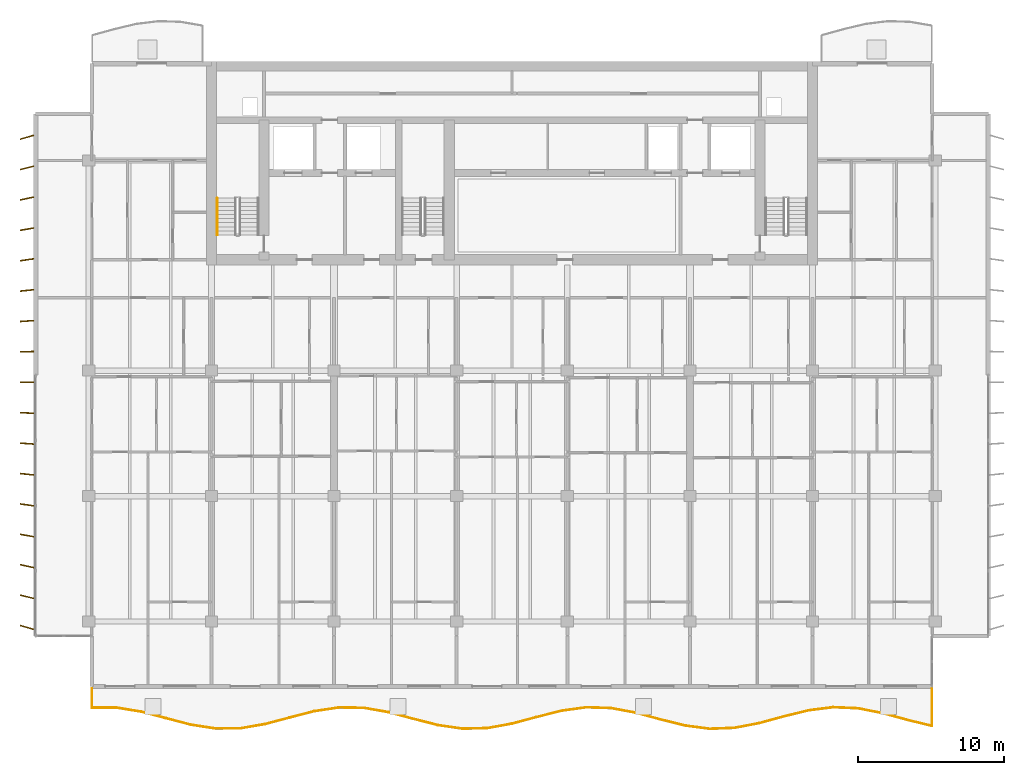
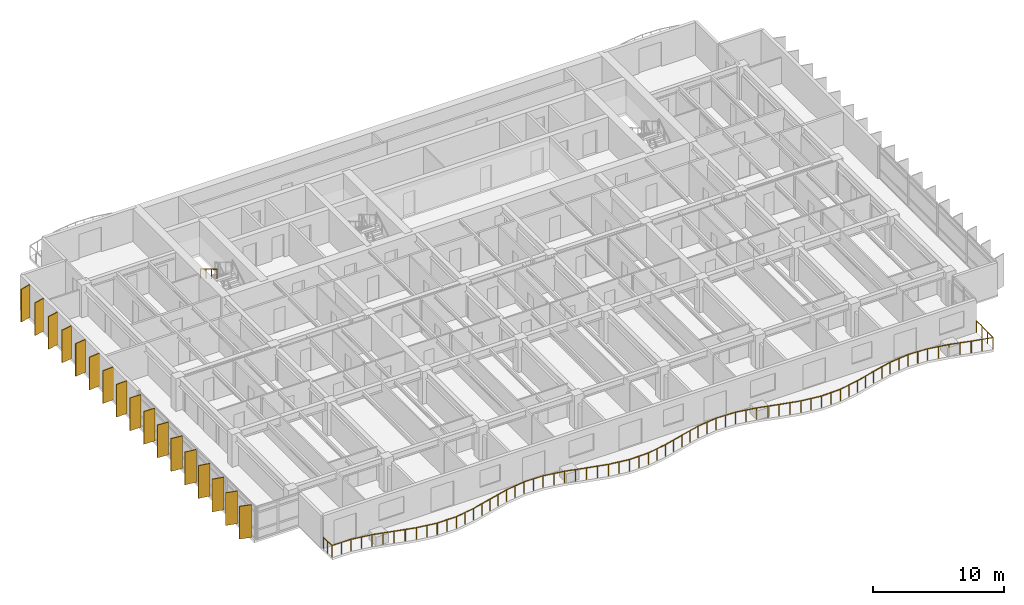
# One storey, part 16 of 19: 17 shading devices, 2 railings.
"""IFC4 building model written with IfcOpenShell, lengths in metres."""

import ifcopenshell
import ifcopenshell.guid

model = None  # the IFC model being written
_history = None  # IfcOwnerHistory: only IFC2X3 demands one
_inside = {}  # id of a spatial element -> (the spatial element, [elements in it])
_under = {}  # id of a project, library or spatial element -> (it, [spatial elements below it])
_declared = {}  # id of a project -> (the project, [libraries it declares])
_typed = {}  # id of a type object -> (the type object, [elements of that type])
_made_of = {}  # id of a material, layer set ... -> (it, [elements and type objects made of it])


def new_model(schema):
    """Start an empty IFC model of exactly this schema.

    Asked for "IFC4X3", IfcOpenShell would pick the latest addendum, in which some entities
    have other attributes; the version numbers below select the first issue.
    IFC2X3 requires an IfcOwnerHistory on every rooted entity: one is made here for all.
    """
    global model, _history
    if schema == "IFC4X3":
        model = ifcopenshell.file(schema_version=(4, 3, 0, 0))
    else:
        model = ifcopenshell.file(schema=schema)
    _inside.clear()
    _under.clear()
    _declared.clear()
    _typed.clear()
    _made_of.clear()
    _history = None
    if model.schema == "IFC2X3":
        org = make("IfcOrganization", Name="unknown")
        user = make(
            "IfcPersonAndOrganization",
            ThePerson=make("IfcPerson", FamilyName="unknown"),
            TheOrganization=org,
        )
        app = make(
            "IfcApplication",
            ApplicationDeveloper=org,
            Version="unknown",
            ApplicationFullName="unknown",
            ApplicationIdentifier="unknown",
        )
        _history = make(
            "IfcOwnerHistory",
            OwningUser=user,
            OwningApplication=app,
            ChangeAction="ADDED",
            CreationDate=0,
        )
    return model


def make(cls, **values):
    """One entity of the class cls with the attributes given. An attribute that is None is left unset."""
    return model.create_entity(
        cls, **{name: value for name, value in values.items() if value is not None}
    )


def rooted(cls, **values):
    """An entity with a GlobalId (a new one), such as an element, a storey or a relation."""
    return make(cls, GlobalId=ifcopenshell.guid.new(), OwnerHistory=_history, **values)


def si_unit(unit_type, name, prefix=None):
    """IfcSIUnit, for example si_unit("LENGTHUNIT", "METRE", prefix="MILLI")."""
    return make("IfcSIUnit", UnitType=unit_type, Prefix=prefix, Name=name)


def assignment(units):
    """IfcUnitAssignment: the units of a project."""
    return None if units is None else make("IfcUnitAssignment", Units=units)


def point(xyz):
    """IfcCartesianPoint."""
    return None if xyz is None else make("IfcCartesianPoint", Coordinates=xyz)


def direction(xyz):
    """IfcDirection."""
    return None if xyz is None else make("IfcDirection", DirectionRatios=xyz)


def frame(location, z_axis=None, x_axis=None):
    """IfcAxis2Placement3D, a coordinate frame: its origin and axes. An axis left out is left unset."""
    return make(
        "IfcAxis2Placement3D",
        Location=point(location),
        Axis=direction(z_axis),
        RefDirection=direction(x_axis),
    )


def frame_2d(location, x_axis=None):
    """IfcAxis2Placement2D, a coordinate frame in the plane: its origin and x axis."""
    return make(
        "IfcAxis2Placement2D", Location=point(location), RefDirection=direction(x_axis)
    )


def origin():
    """The frame at (0, 0, 0) with its axes left unset."""
    return frame((0.0, 0.0, 0.0))


def origin_2d():
    """The frame at (0, 0) in the plane with its x axis left unset."""
    return frame_2d((0.0, 0.0))


def place(relative_to, where):
    """IfcLocalPlacement: puts the frame where relative to a parent placement (None: the world)."""
    return make(
        "IfcLocalPlacement", PlacementRelTo=relative_to, RelativePlacement=where
    )


def context(
    kind, dimensions, precision=None, world=None, true_north=None, identifier=None
):
    """IfcGeometricRepresentationContext, for example the 3D "Model" context."""
    return make(
        "IfcGeometricRepresentationContext",
        ContextIdentifier=identifier,
        ContextType=kind,
        CoordinateSpaceDimension=dimensions,
        Precision=precision,
        WorldCoordinateSystem=world,
        TrueNorth=true_north,
    )


def subcontext(parent, identifier, kind, view, scale=None):
    """IfcGeometricRepresentationSubContext, for example "Body" below "Model"."""
    return make(
        "IfcGeometricRepresentationSubContext",
        ContextIdentifier=identifier,
        ContextType=kind,
        ParentContext=parent,
        TargetScale=scale,
        TargetView=view,
    )


def project(units=None, contexts=None):
    """IfcProject with its units and contexts."""
    return rooted(
        "IfcProject",
        Name="project",
        RepresentationContexts=contexts,
        UnitsInContext=assignment(units),
    )


def spatial(cls, under=None, at=None, **own):
    """A site, building, storey or space (cls), placed at a placement, below another one or the project."""
    s = rooted(cls, ObjectPlacement=at, **own)
    if under is not None:
        _under.setdefault(under.id(), (under, []))[1].append(s)
    return s


def profile(cls, at=None, kind="AREA", **sizes):
    """A parametric profile (cls). Its sizes go by their IFC names, for example OverallWidth=200.0."""
    return make(cls, ProfileType=kind, Position=at, **sizes)


def rectangle(**sizes):
    """IfcRectangleProfileDef."""
    return profile("IfcRectangleProfileDef", **sizes)


def circle(**sizes):
    """IfcCircleProfileDef."""
    return profile("IfcCircleProfileDef", **sizes)


def extrude(swept, where, along, depth):
    """IfcExtrudedAreaSolid: the profile swept, set in the frame where, extruded along a direction by depth."""
    return make(
        "IfcExtrudedAreaSolid",
        SweptArea=swept,
        Position=where,
        ExtrudedDirection=direction(along),
        Depth=depth,
    )


def shape(context_of_items, identifier, shape_type, items):
    """IfcShapeRepresentation: the items that make up one representation, for example the "Body"."""
    return make(
        "IfcShapeRepresentation",
        ContextOfItems=context_of_items,
        RepresentationIdentifier=identifier,
        RepresentationType=shape_type,
        Items=items,
    )


def material(Name=None, Category=None):
    """IfcMaterial."""
    return make("IfcMaterial", Name=Name, Category=Category)


def material_profile(
    of_material, cross_section, Name=None, Category=None, Priority=None
):
    """IfcMaterialProfile: a cross section and its material."""
    return make(
        "IfcMaterialProfile",
        Name=Name,
        Material=of_material,
        Profile=cross_section,
        Priority=Priority,
        Category=Category,
    )


def profile_set(profiles, Name=None, composite=None):
    """IfcMaterialProfileSet."""
    return make(
        "IfcMaterialProfileSet",
        Name=Name,
        MaterialProfiles=profiles,
        CompositeProfile=composite,
    )


def made_of(thing, what):
    """Note that an element or type object is made of a material, layer set ...; save() writes the relation."""
    if what is not None:
        _made_of.setdefault(what.id(), (what, []))[1].append(thing)
    return thing


def type_object(cls, material=None, **own):
    """A type object (cls), such as IfcWallType, which elements share."""
    return made_of(rooted(cls, **own), material)


def element(
    cls,
    number,
    at=None,
    inside=None,
    cuts=None,
    type_object=None,
    material=None,
    context=None,
    identifier="Body",
    shape_type=None,
    held_by="IfcProductDefinitionShape",
    body=None,
    shapes=None,
    **own,
):
    """One element of the class cls, such as IfcWall. Its Tag is "e" and its number.

    at: its placement. inside: the storey or other place that contains it. cuts: it is an
    opening in that element (IfcRelVoidsElement). A single representation is given by context,
    identifier, shape_type and body (its items); several are given by shapes. held_by: the class
    of the entity that holds the representations. save() writes the other relations.
    """
    e = rooted(cls, Tag="e%d" % number, ObjectPlacement=at, **own)
    if body is not None:
        shapes = [shape(context, identifier, shape_type, body)]
    if shapes is not None:
        e.Representation = make(held_by, Representations=shapes)
    if inside is not None:
        _inside.setdefault(inside.id(), (inside, []))[1].append(e)
    if cuts is not None:
        rooted(
            "IfcRelVoidsElement", RelatingBuildingElement=cuts, RelatedOpeningElement=e
        )
    if type_object is not None:
        _typed.setdefault(type_object.id(), (type_object, []))[1].append(e)
    return made_of(e, material)


def aggregate(whole, parts):
    """IfcRelAggregates: a whole, such as a stair, and the parts it consists of."""
    return rooted("IfcRelAggregates", RelatingObject=whole, RelatedObjects=parts)


def save(model, path):
    """Write the relations noted so far, then the file.

    IfcRelAggregates (storeys below a building ...), IfcRelContainedInSpatialStructure (elements
    in a storey), IfcRelDefinesByType, IfcRelAssociatesMaterial and IfcRelDeclares: one each for
    every whole, place, type object, material and project.
    """
    for whole, parts in _under.values():
        aggregate(whole, parts)
    for where, things in _inside.values():
        rooted(
            "IfcRelContainedInSpatialStructure",
            RelatedElements=things,
            RelatingStructure=where,
        )
    for kind, things in _typed.values():
        rooted("IfcRelDefinesByType", RelatedObjects=things, RelatingType=kind)
    for what, things in _made_of.values():
        rooted("IfcRelAssociatesMaterial", RelatedObjects=things, RelatingMaterial=what)
    for by, libraries in _declared.values():
        rooted("IfcRelDeclares", RelatingContext=by, RelatedDefinitions=libraries)
    model.write(path)


model = new_model("IFC4")

# Units and contexts
model_context = context("Model", 3, precision=1e-05, world=origin(), true_north=direction((0.0, 1.0)))
body_context = subcontext(model_context, "Body", "Model", "MODEL_VIEW")
ifc_project = project(units=[si_unit("LENGTHUNIT", "METRE"), si_unit("AREAUNIT", "SQUARE_METRE"), si_unit("VOLUMEUNIT", "CUBIC_METRE"), si_unit("PLANEANGLEUNIT", "RADIAN"), si_unit("MASSUNIT", "GRAM", prefix="KILO")], contexts=[model_context])

# Site, building, storey
site_placement = place(None, origin())
site = spatial("IfcSite", under=ifc_project, at=site_placement, CompositionType="ELEMENT")
building_placement = place(site_placement, origin())
building = spatial("IfcBuilding", under=site, at=building_placement, Name="Caelmar Bay Residences", CompositionType="ELEMENT")
storey_placement = place(building_placement, frame((0.0, 0.0, 214.800048828125)))
storey = spatial("IfcBuildingStorey", under=building, at=storey_placement, Name="L60", CompositionType="ELEMENT", Elevation=214.800048828125)

# Railings
ifc_material_1 = material(Name="Anodised bronze handrail with laminated hurricane glass infill", Category="glass")
railing_type_1 = type_object("IfcRailingType", Name="RL-BAL-1100", PredefinedType="BALUSTRADE", material=ifc_material_1)
railing_1_placement = place(storey_placement, frame((10.10009765625, 7.60009765625, 0.0)))
element("IfcRailing", 1, at=railing_1_placement, inside=storey, type_object=railing_type_1, Name="L60 south Balcony Balustrade", PredefinedType="BALUSTRADE", context=body_context, shape_type="SweptSolid", body=[
    extrude(circle(Radius=0.02392578125, at=origin_2d()), frame((0.0, 0.0, 1.076171875), z_axis=(0.0, -1.0, 0.0), x_axis=(1.0, 0.0, 0.0)), (0.0, 0.0, 1.0), 1.306884765625),
    extrude(circle(Radius=0.02392578125, at=origin_2d()), frame((0.0, -1.306884765625, 1.076171875), z_axis=(0.999999740393, -0.000720564736, 0.0), x_axis=(0.000720564736, 0.999999740393, 0.0)), (0.0, 0.0, 1.0), 1.694091796875),
    extrude(circle(Radius=0.02392578125, at=origin_2d()), frame((1.694091796875, -1.30810546875, 1.076171875), z_axis=(0.98683994476, -0.161700103357, 0.0), x_axis=(0.161700103357, 0.98683994476, 0.0)), (0.0, 0.0, 1.0), 1.716796875),
    extrude(circle(Radius=0.02392578125, at=origin_2d()), frame((3.38818359375, -1.585693359375, 1.076171875), z_axis=(0.96700771303, -0.25474709604, 0.0), x_axis=(0.25474709604, 0.96700771303, 0.0)), (0.0, 0.0, 1.0), 1.751953125),
    extrude(circle(Radius=0.02392578125, at=origin_2d()), frame((5.082275390625, -2.031982421875, 1.076171875), z_axis=(0.967657244717, -0.252268620218, 0.0), x_axis=(0.252268620218, 0.967657244717, 0.0)), (0.0, 0.0, 1.0), 1.750732421875),
    extrude(circle(Radius=0.02392578125, at=origin_2d()), frame((6.7763671875, -2.4736328125, 1.076171875), z_axis=(0.987929781528, -0.154902378196, 0.0), x_axis=(0.154902378196, 0.987929781528, 0.0)), (0.0, 0.0, 1.0), 1.71484375),
    extrude(circle(Radius=0.02392578125, at=origin_2d()), frame((8.470458984375, -2.7392578125, 1.076171875), z_axis=(0.999967436501, 0.008070064338, 0.0), x_axis=(-0.008070064338, 0.999967436501, 0.0)), (0.0, 0.0, 1.0), 1.694091796875),
    extrude(circle(Radius=0.02392578125, at=origin_2d()), frame((10.16455078125, -2.7255859375, 1.076171875), z_axis=(0.985917520991, 0.16723229892, 0.0), x_axis=(-0.16723229892, 0.985917520991, 0.0)), (0.0, 0.0, 1.0), 1.71826171875),
    extrude(circle(Radius=0.02392578125, at=origin_2d()), frame((11.858642578125, -2.438232421875, 1.076171875), z_axis=(0.966491066483, 0.256700250112, 0.0), x_axis=(-0.256700250112, 0.966491066483, 0.0)), (0.0, 0.0, 1.0), 1.7529296875),
    extrude(circle(Radius=0.02392578125, at=origin_2d()), frame((13.552734375, -1.98828125, 1.076171875), z_axis=(0.968242469272, 0.250013041057, 0.0), x_axis=(-0.250013041057, 0.968242469272, 0.0)), (0.0, 0.0, 1.0), 1.75),
    extrude(circle(Radius=0.02392578125, at=origin_2d()), frame((15.2470703125, -1.55078125, 1.076171875), z_axis=(0.988849425774, 0.148918813941, 0.0), x_axis=(-0.148918813941, 0.988849425774, 0.0)), (0.0, 0.0, 1.0), 1.713134765625),
    extrude(circle(Radius=0.02392578125, at=origin_2d()), frame((16.941162109375, -1.295654296875, 1.076171875), z_axis=(0.99988334269, -0.015274194311, 0.0), x_axis=(0.015274194311, 0.99988334269, 0.0)), (0.0, 0.0, 1.0), 1.6943359375),
    extrude(circle(Radius=0.02392578125, at=origin_2d()), frame((18.63525390625, -1.321533203125, 1.076171875), z_axis=(0.984965924128, -0.172748743286, 0.0), x_axis=(0.172748743286, 0.984965924128, 0.0)), (0.0, 0.0, 1.0), 1.719970703125),
    extrude(circle(Radius=0.02392578125, at=origin_2d()), frame((20.329345703125, -1.61865234375, 1.076171875), z_axis=(0.966075311356, -0.258260513412, 0.0), x_axis=(0.258260513412, 0.966075311356, 0.0)), (0.0, 0.0, 1.0), 1.753662109375),
    extrude(circle(Radius=0.02392578125, at=origin_2d()), frame((22.0234375, -2.071533203125, 1.076171875), z_axis=(0.968872833609, -0.247558947109, 0.0), x_axis=(0.247558947109, 0.968872833609, 0.0)), (0.0, 0.0, 1.0), 1.74853515625),
    extrude(circle(Radius=0.02392578125, at=origin_2d()), frame((23.717529296875, -2.50439453125, 1.076171875), z_axis=(0.9896940211, -0.143198270238, 0.0), x_axis=(0.143198270238, 0.9896940211, 0.0)), (0.0, 0.0, 1.0), 1.711669921875),
    extrude(circle(Radius=0.02392578125, at=origin_2d()), frame((25.41162109375, -2.74951171875, 1.076171875), z_axis=(0.99974413621, 0.022619949472, 0.0), x_axis=(-0.022619949472, 0.99974413621, 0.0)), (0.0, 0.0, 1.0), 1.694580078125),
    extrude(circle(Radius=0.02392578125, at=origin_2d()), frame((27.105712890625, -2.711181640625, 1.076171875), z_axis=(0.984035125029, 0.177974359693, 0.0), x_axis=(-0.177974359693, 0.984035125029, 0.0)), (0.0, 0.0, 1.0), 1.7216796875),
    extrude(circle(Radius=0.02392578125, at=origin_2d()), frame((28.7998046875, -2.40478515625, 1.076171875), z_axis=(0.965657399283, 0.259818758389, 0.0), x_axis=(-0.259818758389, 0.965657399283, 0.0)), (0.0, 0.0, 1.0), 1.75439453125),
    extrude(circle(Radius=0.02392578125, at=origin_2d()), frame((30.493896484375, -1.948974609375, 1.076171875), z_axis=(0.969506355207, 0.245066169049, 0.0), x_axis=(-0.245066169049, 0.969506355207, 0.0)), (0.0, 0.0, 1.0), 1.747314453125),
    extrude(circle(Radius=0.02392578125, at=origin_2d()), frame((32.18798828125, -1.520751953125, 1.076171875), z_axis=(0.990567757977, 0.137023782083, 0.0), x_axis=(-0.137023782083, 0.990567757977, 0.0)), (0.0, 0.0, 1.0), 1.71044921875),
    extrude(circle(Radius=0.02392578125, at=origin_2d()), frame((33.88232421875, -1.286376953125, 1.076171875), z_axis=(0.999555340909, -0.02981812301, 0.0), x_axis=(0.02981812301, 0.999555340909, 0.0)), (0.0, 0.0, 1.0), 1.69482421875),
    extrude(circle(Radius=0.02392578125, at=origin_2d()), frame((35.576416015625, -1.3369140625, 1.076171875), z_axis=(0.983078465562, -0.183184962671, 0.0), x_axis=(0.183184962671, 0.983078465562, 0.0)), (0.0, 0.0, 1.0), 1.72314453125),
    extrude(circle(Radius=0.02392578125, at=origin_2d()), frame((37.2705078125, -1.652587890625, 1.076171875), z_axis=(0.965272426357, -0.261245369174, 0.0), x_axis=(0.261245369174, 0.965272426357, 0.0)), (0.0, 0.0, 1.0), 1.755126953125),
    extrude(circle(Radius=0.02392578125, at=origin_2d()), frame((38.964599609375, -2.111083984375, 1.076171875), z_axis=(0.970200045105, -0.242305329034, 0.0), x_axis=(0.242305329034, 0.970200045105, 0.0)), (0.0, 0.0, 1.0), 1.74609375),
    extrude(circle(Radius=0.02392578125, at=origin_2d()), frame((40.65869140625, -2.5341796875, 1.076171875), z_axis=(0.991399256235, -0.130872131245, 0.0), x_axis=(0.130872131245, 0.991399256235, 0.0)), (0.0, 0.0, 1.0), 1.708740234375),
    extrude(circle(Radius=0.02392578125, at=origin_2d()), frame((42.352783203125, -2.7578125, 1.076171875), z_axis=(0.999315031004, 0.037006334722, 0.0), x_axis=(-0.037006334722, 0.999315031004, 0.0)), (0.0, 0.0, 1.0), 1.695556640625),
    extrude(circle(Radius=0.02392578125, at=origin_2d()), frame((44.047119140625, -2.695068359375, 1.076171875), z_axis=(0.982122357756, 0.188243656985, 0.0), x_axis=(-0.188243656985, 0.982122357756, 0.0)), (0.0, 0.0, 1.0), 1.724853515625),
    extrude(circle(Radius=0.02392578125, at=origin_2d()), frame((45.7412109375, -2.370361328125, 1.076171875), z_axis=(0.964956111271, 0.262411324682, 0.0), x_axis=(-0.262411324682, 0.964956111271, 0.0)), (0.0, 0.0, 1.0), 1.755615234375),
    extrude(circle(Radius=0.02392578125, at=origin_2d()), frame((47.435302734375, -1.90966796875, 1.076171875), z_axis=(0.970919375996, 0.239406694384, 0.0), x_axis=(-0.239406694384, 0.970919375996, 0.0)), (0.0, 0.0, 1.0), 1.744873046875),
    extrude(circle(Radius=0.02392578125, at=origin_2d()), frame((49.12939453125, -1.491943359375, 1.076171875), z_axis=(0.992213949517, 0.124545085751, 0.0), x_axis=(-0.124545085751, 0.992213949517, 0.0)), (0.0, 0.0, 1.0), 1.707275390625),
    extrude(circle(Radius=0.02392578125, at=origin_2d()), frame((50.823486328125, -1.279296875, 1.076171875), z_axis=(0.999029073797, -0.044055756821, 0.0), x_axis=(0.044055756821, 0.999029073797, 0.0)), (0.0, 0.0, 1.0), 1.69580078125),
    extrude(circle(Radius=0.02392578125, at=origin_2d()), frame((52.517578125, -1.35400390625, 1.076171875), z_axis=(0.981168985124, -0.193151294665, 0.0), x_axis=(0.193151294665, 0.981168985124, 0.0)), (0.0, 0.0, 1.0), 1.7265625),
    extrude(circle(Radius=0.02392578125, at=origin_2d()), frame((54.211669921875, -1.6875, 1.076171875), z_axis=(0.964673935387, -0.263446765753, 0.0), x_axis=(0.263446765753, 0.964673935387, 0.0)), (0.0, 0.0, 1.0), 1.756103515625),
    extrude(circle(Radius=0.02392578125, at=origin_2d()), frame((55.90576171875, -2.150146484375, 1.076171875), z_axis=(0.971663257261, -0.236369444914, 0.0), x_axis=(0.236369444914, 0.971663257261, 0.0)), (0.0, 0.0, 1.0), 1.743408203125),
    extrude(circle(Radius=0.02392578125, at=origin_2d()), frame((57.599853515625, -2.562255859375, 1.076171875), z_axis=(0.0, 1.0, 0.0), x_axis=(-1.0, 0.0, 0.0)), (0.0, 0.0, 1.0), 2.562255859375),
    extrude(circle(Radius=0.02099609375, at=origin_2d()), origin(), (0.0, 0.0, 1.0), 1.052001953125),
    extrude(circle(Radius=0.02099609375, at=origin_2d()), frame((0.0, -0.6533203125, 0.0)), (0.0, 0.0, 1.0), 1.052001953125),
    extrude(circle(Radius=0.02099609375, at=origin_2d()), frame((0.0, -1.306884765625, 0.0)), (0.0, 0.0, 1.0), 1.052001953125),
    extrude(circle(Radius=0.02099609375, at=origin_2d()), frame((0.84716796875, -1.3076171875, 0.0)), (0.0, 0.0, 1.0), 1.052001953125),
    extrude(circle(Radius=0.02099609375, at=origin_2d()), frame((1.694091796875, -1.30810546875, 0.0)), (0.0, 0.0, 1.0), 1.052001953125),
    extrude(circle(Radius=0.02099609375, at=origin_2d()), frame((2.541015625, -1.44677734375, 0.0)), (0.0, 0.0, 1.0), 1.052001953125),
    extrude(circle(Radius=0.02099609375, at=origin_2d()), frame((3.38818359375, -1.585693359375, 0.0)), (0.0, 0.0, 1.0), 1.052001953125),
    extrude(circle(Radius=0.02099609375, at=origin_2d()), frame((4.2353515625, -1.808837890625, 0.0)), (0.0, 0.0, 1.0), 1.052001953125),
    extrude(circle(Radius=0.02099609375, at=origin_2d()), frame((5.082275390625, -2.031982421875, 0.0)), (0.0, 0.0, 1.0), 1.052001953125),
    extrude(circle(Radius=0.02099609375, at=origin_2d()), frame((5.92919921875, -2.2529296875, 0.0)), (0.0, 0.0, 1.0), 1.052001953125),
    extrude(circle(Radius=0.02099609375, at=origin_2d()), frame((6.7763671875, -2.4736328125, 0.0)), (0.0, 0.0, 1.0), 1.052001953125),
    extrude(circle(Radius=0.02099609375, at=origin_2d()), frame((7.62353515625, -2.6064453125, 0.0)), (0.0, 0.0, 1.0), 1.052001953125),
    extrude(circle(Radius=0.02099609375, at=origin_2d()), frame((8.470458984375, -2.7392578125, 0.0)), (0.0, 0.0, 1.0), 1.052001953125),
    extrude(circle(Radius=0.02099609375, at=origin_2d()), frame((9.3173828125, -2.732421875, 0.0)), (0.0, 0.0, 1.0), 1.052001953125),
    extrude(circle(Radius=0.02099609375, at=origin_2d()), frame((10.16455078125, -2.7255859375, 0.0)), (0.0, 0.0, 1.0), 1.052001953125),
    extrude(circle(Radius=0.02099609375, at=origin_2d()), frame((11.01171875, -2.58203125, 0.0)), (0.0, 0.0, 1.0), 1.052001953125),
    extrude(circle(Radius=0.02099609375, at=origin_2d()), frame((11.858642578125, -2.438232421875, 0.0)), (0.0, 0.0, 1.0), 1.052001953125),
    extrude(circle(Radius=0.02099609375, at=origin_2d()), frame((12.70556640625, -2.21337890625, 0.0)), (0.0, 0.0, 1.0), 1.052001953125),
    extrude(circle(Radius=0.02099609375, at=origin_2d()), frame((13.552734375, -1.98828125, 0.0)), (0.0, 0.0, 1.0), 1.052001953125),
    extrude(circle(Radius=0.02099609375, at=origin_2d()), frame((14.39990234375, -1.76953125, 0.0)), (0.0, 0.0, 1.0), 1.052001953125),
    extrude(circle(Radius=0.02099609375, at=origin_2d()), frame((15.2470703125, -1.55078125, 0.0)), (0.0, 0.0, 1.0), 1.052001953125),
    extrude(circle(Radius=0.02099609375, at=origin_2d()), frame((16.09423828125, -1.42333984375, 0.0)), (0.0, 0.0, 1.0), 1.052001953125),
    extrude(circle(Radius=0.02099609375, at=origin_2d()), frame((16.941162109375, -1.295654296875, 0.0)), (0.0, 0.0, 1.0), 1.052001953125),
    extrude(circle(Radius=0.02099609375, at=origin_2d()), frame((17.7880859375, -1.30859375, 0.0)), (0.0, 0.0, 1.0), 1.052001953125),
    extrude(circle(Radius=0.02099609375, at=origin_2d()), frame((18.63525390625, -1.321533203125, 0.0)), (0.0, 0.0, 1.0), 1.052001953125),
    extrude(circle(Radius=0.02099609375, at=origin_2d()), frame((19.482421875, -1.47021484375, 0.0)), (0.0, 0.0, 1.0), 1.052001953125),
    extrude(circle(Radius=0.02099609375, at=origin_2d()), frame((20.329345703125, -1.61865234375, 0.0)), (0.0, 0.0, 1.0), 1.052001953125),
    extrude(circle(Radius=0.02099609375, at=origin_2d()), frame((21.17626953125, -1.84521484375, 0.0)), (0.0, 0.0, 1.0), 1.052001953125),
    extrude(circle(Radius=0.02099609375, at=origin_2d()), frame((22.0234375, -2.071533203125, 0.0)), (0.0, 0.0, 1.0), 1.052001953125),
    extrude(circle(Radius=0.02099609375, at=origin_2d()), frame((22.87060546875, -2.2880859375, 0.0)), (0.0, 0.0, 1.0), 1.052001953125),
    extrude(circle(Radius=0.02099609375, at=origin_2d()), frame((23.717529296875, -2.50439453125, 0.0)), (0.0, 0.0, 1.0), 1.052001953125),
    extrude(circle(Radius=0.02099609375, at=origin_2d()), frame((24.564453125, -2.626953125, 0.0)), (0.0, 0.0, 1.0), 1.052001953125),
    extrude(circle(Radius=0.02099609375, at=origin_2d()), frame((25.41162109375, -2.74951171875, 0.0)), (0.0, 0.0, 1.0), 1.052001953125),
    extrude(circle(Radius=0.02099609375, at=origin_2d()), frame((26.2587890625, -2.73046875, 0.0)), (0.0, 0.0, 1.0), 1.052001953125),
    extrude(circle(Radius=0.02099609375, at=origin_2d()), frame((27.105712890625, -2.711181640625, 0.0)), (0.0, 0.0, 1.0), 1.052001953125),
    extrude(circle(Radius=0.02099609375, at=origin_2d()), frame((27.95263671875, -2.55810546875, 0.0)), (0.0, 0.0, 1.0), 1.052001953125),
    extrude(circle(Radius=0.02099609375, at=origin_2d()), frame((28.7998046875, -2.40478515625, 0.0)), (0.0, 0.0, 1.0), 1.052001953125),
    extrude(circle(Radius=0.02099609375, at=origin_2d()), frame((29.64697265625, -2.1767578125, 0.0)), (0.0, 0.0, 1.0), 1.052001953125),
    extrude(circle(Radius=0.02099609375, at=origin_2d()), frame((30.493896484375, -1.948974609375, 0.0)), (0.0, 0.0, 1.0), 1.052001953125),
    extrude(circle(Radius=0.02099609375, at=origin_2d()), frame((31.3408203125, -1.73486328125, 0.0)), (0.0, 0.0, 1.0), 1.052001953125),
    extrude(circle(Radius=0.02099609375, at=origin_2d()), frame((32.18798828125, -1.520751953125, 0.0)), (0.0, 0.0, 1.0), 1.052001953125),
    extrude(circle(Radius=0.02099609375, at=origin_2d()), frame((33.03515625, -1.403564453125, 0.0)), (0.0, 0.0, 1.0), 1.052001953125),
    extrude(circle(Radius=0.02099609375, at=origin_2d()), frame((33.88232421875, -1.286376953125, 0.0)), (0.0, 0.0, 1.0), 1.052001953125),
    extrude(circle(Radius=0.02099609375, at=origin_2d()), frame((34.7294921875, -1.3115234375, 0.0)), (0.0, 0.0, 1.0), 1.052001953125),
    extrude(circle(Radius=0.02099609375, at=origin_2d()), frame((35.576416015625, -1.3369140625, 0.0)), (0.0, 0.0, 1.0), 1.052001953125),
    extrude(circle(Radius=0.02099609375, at=origin_2d()), frame((36.42333984375, -1.49462890625, 0.0)), (0.0, 0.0, 1.0), 1.052001953125),
    extrude(circle(Radius=0.02099609375, at=origin_2d()), frame((37.2705078125, -1.652587890625, 0.0)), (0.0, 0.0, 1.0), 1.052001953125),
    extrude(circle(Radius=0.02099609375, at=origin_2d()), frame((38.11767578125, -1.8818359375, 0.0)), (0.0, 0.0, 1.0), 1.052001953125),
    extrude(circle(Radius=0.02099609375, at=origin_2d()), frame((38.964599609375, -2.111083984375, 0.0)), (0.0, 0.0, 1.0), 1.052001953125),
    extrude(circle(Radius=0.02099609375, at=origin_2d()), frame((39.8115234375, -2.32275390625, 0.0)), (0.0, 0.0, 1.0), 1.052001953125),
    extrude(circle(Radius=0.02099609375, at=origin_2d()), frame((40.65869140625, -2.5341796875, 0.0)), (0.0, 0.0, 1.0), 1.052001953125),
    extrude(circle(Radius=0.02099609375, at=origin_2d()), frame((41.505859375, -2.64599609375, 0.0)), (0.0, 0.0, 1.0), 1.052001953125),
    extrude(circle(Radius=0.02099609375, at=origin_2d()), frame((42.352783203125, -2.7578125, 0.0)), (0.0, 0.0, 1.0), 1.052001953125),
    extrude(circle(Radius=0.02099609375, at=origin_2d()), frame((43.199951171875, -2.7265625, 0.0)), (0.0, 0.0, 1.0), 1.052001953125),
    extrude(circle(Radius=0.02099609375, at=origin_2d()), frame((44.047119140625, -2.695068359375, 0.0)), (0.0, 0.0, 1.0), 1.052001953125),
    extrude(circle(Radius=0.02099609375, at=origin_2d()), frame((44.89404296875, -2.53271484375, 0.0)), (0.0, 0.0, 1.0), 1.052001953125),
    extrude(circle(Radius=0.02099609375, at=origin_2d()), frame((45.7412109375, -2.370361328125, 0.0)), (0.0, 0.0, 1.0), 1.052001953125),
    extrude(circle(Radius=0.02099609375, at=origin_2d()), frame((46.58837890625, -2.14013671875, 0.0)), (0.0, 0.0, 1.0), 1.052001953125),
    extrude(circle(Radius=0.02099609375, at=origin_2d()), frame((47.435302734375, -1.90966796875, 0.0)), (0.0, 0.0, 1.0), 1.052001953125),
    extrude(circle(Radius=0.02099609375, at=origin_2d()), frame((48.2822265625, -1.70068359375, 0.0)), (0.0, 0.0, 1.0), 1.052001953125),
    extrude(circle(Radius=0.02099609375, at=origin_2d()), frame((49.12939453125, -1.491943359375, 0.0)), (0.0, 0.0, 1.0), 1.052001953125),
    extrude(circle(Radius=0.02099609375, at=origin_2d()), frame((49.9765625, -1.3857421875, 0.0)), (0.0, 0.0, 1.0), 1.052001953125),
    extrude(circle(Radius=0.02099609375, at=origin_2d()), frame((50.823486328125, -1.279296875, 0.0)), (0.0, 0.0, 1.0), 1.052001953125),
    extrude(circle(Radius=0.02099609375, at=origin_2d()), frame((51.67041015625, -1.316650390625, 0.0)), (0.0, 0.0, 1.0), 1.052001953125),
    extrude(circle(Radius=0.02099609375, at=origin_2d()), frame((52.517578125, -1.35400390625, 0.0)), (0.0, 0.0, 1.0), 1.052001953125),
    extrude(circle(Radius=0.02099609375, at=origin_2d()), frame((53.36474609375, -1.520751953125, 0.0)), (0.0, 0.0, 1.0), 1.052001953125),
    extrude(circle(Radius=0.02099609375, at=origin_2d()), frame((54.211669921875, -1.6875, 0.0)), (0.0, 0.0, 1.0), 1.052001953125),
    extrude(circle(Radius=0.02099609375, at=origin_2d()), frame((55.05859375, -1.9189453125, 0.0)), (0.0, 0.0, 1.0), 1.052001953125),
    extrude(circle(Radius=0.02099609375, at=origin_2d()), frame((55.90576171875, -2.150146484375, 0.0)), (0.0, 0.0, 1.0), 1.052001953125),
    extrude(circle(Radius=0.02099609375, at=origin_2d()), frame((56.7529296875, -2.356201171875, 0.0)), (0.0, 0.0, 1.0), 1.052001953125),
    extrude(circle(Radius=0.02099609375, at=origin_2d()), frame((57.599853515625, -2.562255859375, 0.0)), (0.0, 0.0, 1.0), 1.052001953125),
    extrude(circle(Radius=0.02099609375, at=origin_2d()), frame((57.599853515625, -1.708251953125, 0.0)), (0.0, 0.0, 1.0), 1.052001953125),
    extrude(circle(Radius=0.02099609375, at=origin_2d()), frame((57.599853515625, -0.85400390625, 0.0)), (0.0, 0.0, 1.0), 1.052001953125),
    extrude(circle(Radius=0.02099609375, at=origin_2d()), frame((57.599853515625, 0.0, 0.0)), (0.0, 0.0, 1.0), 1.052001953125),
])
ifc_material_2 = material(Name="Brushed bronze stainless-steel tubular handrail 900 mm", Category="steel")
railing_type_2 = type_object("IfcRailingType", Name="RL-HND-900", PredefinedType="HANDRAIL", material=ifc_material_2)
railing_2_placement = place(storey_placement, frame((18.699951171875, 41.219970703125, 1.81494140625)))
element("IfcRailing", 2, at=railing_2_placement, inside=storey, type_object=railing_type_2, Name="L60 ST1 stair handrail 2", PredefinedType="HANDRAIL", context=body_context, shape_type="SweptSolid", body=[
    extrude(circle(Radius=0.02392578125, at=origin_2d()), frame((0.0, 0.0, 0.8759765625), z_axis=(0.0, -0.86152411907, 0.507716645641), x_axis=(1.0, 0.0, 0.0)), (0.0, 0.0, 1.0), 2.925048828125),
    extrude(circle(Radius=0.02099609375, at=origin_2d()), origin(), (0.0, 0.0, 1.0), 0.851806640625),
    extrude(circle(Radius=0.02099609375, at=origin_2d()), frame((0.0, -0.840087890625, 0.4951171875)), (0.0, 0.0, 1.0), 0.851806640625),
    extrude(circle(Radius=0.02099609375, at=origin_2d()), frame((0.0, -1.679931640625, 0.989990234375)), (0.0, 0.0, 1.0), 0.851806640625),
    extrude(circle(Radius=0.02099609375, at=origin_2d()), frame((0.0, -2.52001953125, 1.485107421875)), (0.0, 0.0, 1.0), 0.851806640625),
])

# Shading devices
ifc_material_3 = material(Name="Anodised architectural bronze aluminium 6063-T6", Category="aluminium")
ifc_material_profile = material_profile(ifc_material_3, rectangle(XDim=0.074951171875, YDim=0.949951171875, at=origin_2d()), Name="BRONZE-FIN-75X950")
ifc_profile_set = profile_set([ifc_material_profile], Name="Anodised architectural bronze aluminium 6063-T6")
shading_device_type = type_object("IfcShadingDeviceType", Name="SHD-FIN-950", PredefinedType="USERDEFINED", material=ifc_profile_set)
for number, where, z_axis, x_axis, name in (
    (3, (5.64990234375, 11.800048828125, 0.0), (0.0, 0.0, 1.0), (0.275637355817, 0.961261695938, 0.0), "L60 West Bronze Solar Fin 1"),
    (4, (5.64990234375, 13.89990234375, 0.0), (0.0, 0.0, 1.0), (0.2419218956, 0.970295726276, 0.0), "L60 West Bronze Solar Fin 2"),
    (5, (5.64990234375, 16.0, 0.0), (0.0, 0.0, 1.0), (0.207911690818, 0.978147600734, 0.0), "L60 West Bronze Solar Fin 3"),
    (6, (5.64990234375, 18.10009765625, 0.0), (0.0, 0.0, 1.0), (0.173648177667, 0.984807753012, 0.0), "L60 West Bronze Solar Fin 4"),
    (7, (5.64990234375, 20.199951171875, 0.0), (0.0, 0.0, 1.0), (0.13917310096, 0.990268068742, 0.0), "L60 West Bronze Solar Fin 5"),
    (8, (5.64990234375, 22.300048828125, 0.0), (0.0, 0.0, 1.0), (0.104528463268, 0.994521895368, 0.0), "L60 West Bronze Solar Fin 6"),
    (9, (5.64990234375, 24.39990234375, 0.0), (0.0, 0.0, 1.0), (0.069756473744, 0.99756405026, 0.0), "L60 West Bronze Solar Fin 7"),
    (10, (5.64990234375, 26.5, 0.0), (0.0, 0.0, 1.0), (0.034899496703, 0.999390827019, 0.0), "L60 West Bronze Solar Fin 8"),
    (11, (5.64990234375, 28.60009765625, 0.0), (0.0, 0.0, 1.0), (0.0, 1.0, 0.0), "L60 West Bronze Solar Fin 9"),
    (12, (5.64990234375, 30.699951171875, 0.0), (0.0, 0.0, 1.0), (-0.034899496703, 0.999390827019, 0.0), "L60 West Bronze Solar Fin 10"),
    (13, (5.64990234375, 32.800048828125, 0.0), (0.0, 0.0, 1.0), (-0.069756473744, 0.99756405026, 0.0), "L60 West Bronze Solar Fin 11"),
    (14, (5.64990234375, 34.89990234375, 0.0), (0.0, 0.0, 1.0), (-0.104528463268, 0.994521895368, 0.0), "L60 West Bronze Solar Fin 12"),
    (15, (5.64990234375, 37.0, 0.0), (0.0, 0.0, 1.0), (-0.13917310096, 0.990268068742, 0.0), "L60 West Bronze Solar Fin 13"),
    (16, (5.64990234375, 39.10009765625, 0.0), (0.0, 0.0, 1.0), (-0.173648177667, 0.984807753012, 0.0), "L60 West Bronze Solar Fin 14"),
    (17, (5.64990234375, 41.199951171875, 0.0), (0.0, 0.0, 1.0), (-0.207911690818, 0.978147600734, 0.0), "L60 West Bronze Solar Fin 15"),
    (18, (5.64990234375, 43.300048828125, 0.0), (0.0, 0.0, 1.0), (-0.2419218956, 0.970295726276, 0.0), "L60 West Bronze Solar Fin 16"),
    (19, (5.64990234375, 45.39990234375, 0.0), (0.0, 0.0, 1.0), (-0.275637355817, 0.961261695938, 0.0), "L60 West Bronze Solar Fin 17"),
):
    element("IfcShadingDevice", number, at=place(storey_placement, frame(where, z_axis=z_axis, x_axis=x_axis)), inside=storey, type_object=shading_device_type, Name=name, ObjectType="FIN", PredefinedType="USERDEFINED", context=body_context, shape_type="SweptSolid", body=[
        extrude(rectangle(XDim=0.074951171875, YDim=0.949951171875, at=origin_2d()), origin(), (0.0, 0.0, 1.0), 3.050048828125),
    ])

save(model, "model.ifc")
